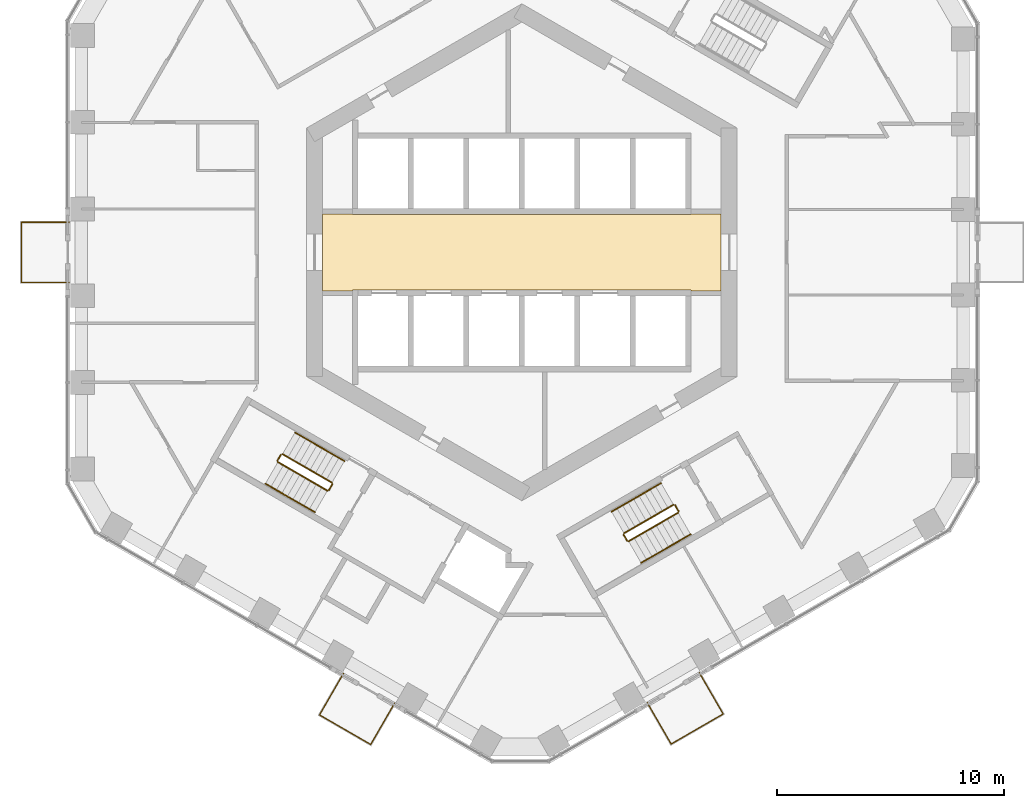
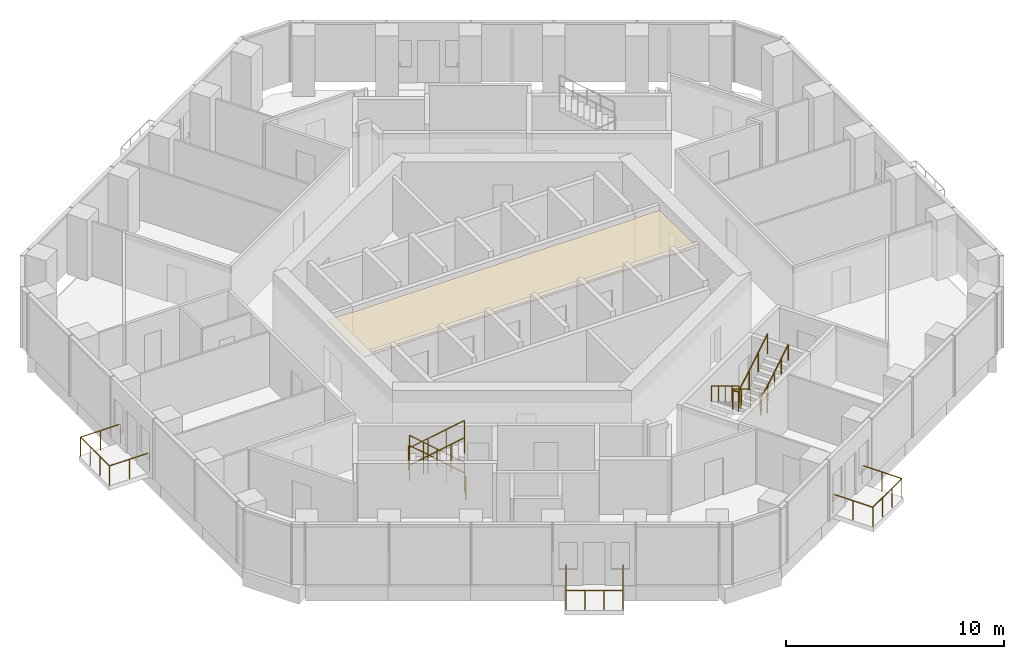
# One storey, part 18 of 20: 19 railings, 1 covering.
"""IFC4 building model written with IfcOpenShell, lengths in metres."""

from ifc_helpers import new_model, si_unit, direction, frame, origin, origin_2d, place, context, subcontext, project, spatial, polyline, circle, outline, extrude, material, layer, layer_set, type_object, element, save


model = new_model("IFC4")

# Units and contexts
model_context = context("Model", 3, precision=1e-05, world=origin(), true_north=direction((0.0, 1.0)))
body_context = subcontext(model_context, "Body", "Model", "MODEL_VIEW")
ifc_project = project(units=[si_unit("LENGTHUNIT", "METRE"), si_unit("AREAUNIT", "SQUARE_METRE"), si_unit("VOLUMEUNIT", "CUBIC_METRE"), si_unit("PLANEANGLEUNIT", "RADIAN"), si_unit("MASSUNIT", "GRAM", prefix="KILO")], contexts=[model_context])

# Site, building, storey
site_placement = place(None, origin())
site = spatial("IfcSite", under=ifc_project, at=site_placement, CompositionType="ELEMENT")
building_placement = place(site_placement, origin())
building = spatial("IfcBuilding", under=site, at=building_placement, Name="Ayvan Gate Tower", CompositionType="ELEMENT")
storey_placement = place(building_placement, frame((0.0, 0.0, 86.5)))
storey = spatial("IfcBuildingStorey", under=building, at=storey_placement, Name="L22", CompositionType="ELEMENT", Elevation=86.5)

# Railings
ifc_material_1 = material(Name="Stainless steel 316 and laminated glass", Category="steel")
railing_type_1 = type_object("IfcRailingType", Name="Balcony balustrade 1100", PredefinedType="BALUSTRADE", material=ifc_material_1)
railing_1_placement = place(storey_placement, frame((-19.976318359375, 1.325439453125, 0.0)))
element("IfcRailing", 1, at=railing_1_placement, inside=storey, type_object=railing_type_1, Name="Balcony balustrade BAL-L22-3", PredefinedType="BALUSTRADE", context=body_context, shape_type="SweptSolid", body=[
    extrude(circle(Radius=0.02490234375, at=origin_2d()), frame((0.0, 0.0, 1.0751953125), z_axis=(-1.0, 0.0, 0.0), x_axis=(0.0, -1.0, 0.0)), (0.0, 0.0, 1.0), 2.114990234375),
    extrude(circle(Radius=0.02490234375, at=origin_2d()), frame((-2.114990234375, 0.0, 1.0751953125), z_axis=(0.0, -1.0, 0.0), x_axis=(1.0, 0.0, 0.0)), (0.0, 0.0, 1.0), 2.65087890625),
    extrude(circle(Radius=0.02490234375, at=origin_2d()), frame((-2.114990234375, -2.65087890625, 1.0751953125), z_axis=(1.0, 0.0, 0.0), x_axis=(0.0, 1.0, 0.0)), (0.0, 0.0, 1.0), 2.114990234375),
    extrude(circle(Radius=0.02001953125, at=origin_2d()), origin(), (0.0, 0.0, 1.0), 1.050048828125),
    extrude(circle(Radius=0.02001953125, at=origin_2d()), frame((-1.0576171875, 0.0, 0.0)), (0.0, 0.0, 1.0), 1.050048828125),
    extrude(circle(Radius=0.02001953125, at=origin_2d()), frame((-2.114990234375, 0.0, 0.0)), (0.0, 0.0, 1.0), 1.050048828125),
    extrude(circle(Radius=0.02001953125, at=origin_2d()), frame((-2.114990234375, -0.883544921875, 0.0)), (0.0, 0.0, 1.0), 1.050048828125),
    extrude(circle(Radius=0.02001953125, at=origin_2d()), frame((-2.114990234375, -1.767333984375, 0.0)), (0.0, 0.0, 1.0), 1.050048828125),
    extrude(circle(Radius=0.02001953125, at=origin_2d()), frame((-2.114990234375, -2.65087890625, 0.0)), (0.0, 0.0, 1.0), 1.050048828125),
    extrude(circle(Radius=0.02001953125, at=origin_2d()), frame((-1.0576171875, -2.65087890625, 0.0)), (0.0, 0.0, 1.0), 1.050048828125),
    extrude(circle(Radius=0.02001953125, at=origin_2d()), frame((0.0, -2.65087890625, 0.0)), (0.0, 0.0, 1.0), 1.050048828125),
])
railing_2_placement = place(storey_placement, frame((-7.87451171875, -18.588623046875, 0.0)))
element("IfcRailing", 2, at=railing_2_placement, inside=storey, type_object=railing_type_1, Name="Balcony balustrade BAL-L22-4", PredefinedType="BALUSTRADE", context=body_context, shape_type="SweptSolid", body=[
    extrude(circle(Radius=0.02490234375, at=origin_2d()), frame((0.0, 0.0, 1.0751953125), z_axis=(-0.499925626596, -0.866068339032, 0.0), x_axis=(0.866068339032, -0.499925626596, 0.0)), (0.0, 0.0, 1.0), 2.114990234375),
    extrude(circle(Radius=0.02490234375, at=origin_2d()), frame((-1.057373046875, -1.831787109375, 1.0751953125), z_axis=(0.866006422342, -0.500032875382, 0.0), x_axis=(0.500032875382, 0.866006422342, 0.0)), (0.0, 0.0, 1.0), 2.609619140625),
    extrude(circle(Radius=0.02490234375, at=origin_2d()), frame((1.20263671875, -3.13671875, 1.0751953125), z_axis=(0.500012199891, 0.86601836006, 0.0), x_axis=(-0.86601836006, 0.500012199891, 0.0)), (0.0, 0.0, 1.0), 2.115234375),
    extrude(circle(Radius=0.02001953125, at=origin_2d()), origin(), (0.0, 0.0, 1.0), 1.050048828125),
    extrude(circle(Radius=0.02001953125, at=origin_2d()), frame((-0.52880859375, -0.916015625, 0.0)), (0.0, 0.0, 1.0), 1.050048828125),
    extrude(circle(Radius=0.02001953125, at=origin_2d()), frame((-1.057373046875, -1.831787109375, 0.0)), (0.0, 0.0, 1.0), 1.050048828125),
    extrude(circle(Radius=0.02001953125, at=origin_2d()), frame((-0.303955078125, -2.266845703125, 0.0)), (0.0, 0.0, 1.0), 1.050048828125),
    extrude(circle(Radius=0.02001953125, at=origin_2d()), frame((0.44921875, -2.70166015625, 0.0)), (0.0, 0.0, 1.0), 1.050048828125),
    extrude(circle(Radius=0.02001953125, at=origin_2d()), frame((1.20263671875, -3.13671875, 0.0)), (0.0, 0.0, 1.0), 1.050048828125),
    extrude(circle(Radius=0.02001953125, at=origin_2d()), frame((1.7314453125, -2.220703125, 0.0)), (0.0, 0.0, 1.0), 1.050048828125),
    extrude(circle(Radius=0.02001953125, at=origin_2d()), frame((2.26025390625, -1.304931640625, 0.0)), (0.0, 0.0, 1.0), 1.050048828125),
])
railing_3_placement = place(storey_placement, frame((5.53125, -19.873046875, 0.0)))
element("IfcRailing", 3, at=railing_3_placement, inside=storey, type_object=railing_type_1, Name="Balcony balustrade BAL-L22-5", PredefinedType="BALUSTRADE", context=body_context, shape_type="SweptSolid", body=[
    extrude(circle(Radius=0.02490234375, at=origin_2d()), frame((0.0, 0.0, 1.0751953125), z_axis=(0.500012199891, -0.86601836006, 0.0), x_axis=(0.86601836006, 0.500012199891, 0.0)), (0.0, 0.0, 1.0), 2.115234375),
    extrude(circle(Radius=0.02490234375, at=origin_2d()), frame((1.0576171875, -1.831787109375, 1.0751953125), z_axis=(0.865978525769, 0.500081186316, 0.0), x_axis=(-0.500081186316, 0.865978525769, 0.0)), (0.0, 0.0, 1.0), 2.65087890625),
    extrude(circle(Radius=0.02490234375, at=origin_2d()), frame((3.353271484375, -0.506103515625, 1.0751953125), z_axis=(-0.499975608288, 0.866039485888, 0.0), x_axis=(-0.866039485888, -0.499975608288, 0.0)), (0.0, 0.0, 1.0), 2.11474609375),
    extrude(circle(Radius=0.02001953125, at=origin_2d()), origin(), (0.0, 0.0, 1.0), 1.050048828125),
    extrude(circle(Radius=0.02001953125, at=origin_2d()), frame((0.52880859375, -0.916015625, 0.0)), (0.0, 0.0, 1.0), 1.050048828125),
    extrude(circle(Radius=0.02001953125, at=origin_2d()), frame((1.0576171875, -1.831787109375, 0.0)), (0.0, 0.0, 1.0), 1.050048828125),
    extrude(circle(Radius=0.02001953125, at=origin_2d()), frame((1.82275390625, -1.389892578125, 0.0)), (0.0, 0.0, 1.0), 1.050048828125),
    extrude(circle(Radius=0.02001953125, at=origin_2d()), frame((2.588134765625, -0.947998046875, 0.0)), (0.0, 0.0, 1.0), 1.050048828125),
    extrude(circle(Radius=0.02001953125, at=origin_2d()), frame((3.353271484375, -0.506103515625, 0.0)), (0.0, 0.0, 1.0), 1.050048828125),
    extrude(circle(Radius=0.02001953125, at=origin_2d()), frame((2.82470703125, 0.40966796875, 0.0)), (0.0, 0.0, 1.0), 1.050048828125),
    extrude(circle(Radius=0.02001953125, at=origin_2d()), frame((2.2958984375, 1.325439453125, 0.0)), (0.0, 0.0, 1.0), 1.050048828125),
])

# Covering
ifc_material_2 = material(Name="Plasterboard suspended ceiling")
ifc_layer = layer(ifc_material_2, 0.050048828125)
ifc_layer_set = layer_set([ifc_layer], Name="Plasterboard suspended ceiling")
covering_type = type_object("IfcCoveringType", Name="CT-SUSP-50", PredefinedType="CEILING", material=ifc_layer_set)
covering_placement = place(storey_placement, frame((0.0, 0.0, 2.699951171875)))
element("IfcCovering", 4, at=covering_placement, inside=storey, type_object=covering_type, Name="Ceiling Lift Lobby L22", PredefinedType="CEILING", context=body_context, shape_type="SweptSolid", body=[
    extrude(outline(polyline([(7.47509765625, -1.675048828125), (-7.47509765625, -1.675048828125), (-7.47509765625, -1.699951171875), (-8.800048828125, -1.699951171875), (-8.800048828125, 1.699951171875), (-7.47509765625, 1.699951171875), (-7.47509765625, 1.675048828125), (7.47509765625, 1.675048828125), (7.47509765625, 1.699951171875), (8.800048828125, 1.699951171875), (8.800048828125, -1.699951171875), (7.47509765625, -1.699951171875), (7.47509765625, -1.675048828125)])), origin(), (0.0, 0.0, 1.0), 0.050048828125),
])

# Railings
ifc_material_3 = material(Name="Stainless steel balustrade", Category="steel")
railing_type_2 = type_object("IfcRailingType", Name="RL-GUARD-1100", PredefinedType="GUARDRAIL", material=ifc_material_3)
railing_4_placement = place(storey_placement, frame((-8.381103515625, -10.16650390625, 0.169921875)))
element("IfcRailing", 5, at=railing_4_placement, inside=storey, type_object=railing_type_2, Name="L22 STS2 stair guard 1", PredefinedType="GUARDRAIL", context=body_context, shape_type="SweptSolid", body=[
    extrude(circle(Radius=0.02392578125, at=origin_2d()), frame((0.0, 0.0, 1.076171875), z_axis=(-0.740261155115, 0.427395438142, 0.518986090067), x_axis=(-0.500004791531, -0.866022637375, 0.0)), (0.0, 0.0, 1.0), 2.947998046875),
    extrude(circle(Radius=0.02099609375, at=origin_2d()), origin(), (0.0, 0.0, 1.0), 1.052001953125),
    extrude(circle(Radius=0.02099609375, at=origin_2d()), frame((-0.7275390625, 0.419921875, 0.510009765625)), (0.0, 0.0, 1.0), 1.052001953125),
    extrude(circle(Radius=0.02099609375, at=origin_2d()), frame((-1.454833984375, 0.840087890625, 1.02001953125)), (0.0, 0.0, 1.0), 1.052001953125),
    extrude(circle(Radius=0.02099609375, at=origin_2d()), frame((-2.182373046875, 1.260009765625, 1.530029296875)), (0.0, 0.0, 1.0), 1.052001953125),
])
railing_5_placement = place(storey_placement, frame((-10.6318359375, -8.9248046875, 1.699951171875)))
element("IfcRailing", 6, at=railing_5_placement, inside=storey, type_object=railing_type_2, Name="L22 STS2 stair guard 2", PredefinedType="GUARDRAIL", context=body_context, shape_type="SweptSolid", body=[
    extrude(circle(Radius=0.02392578125, at=origin_2d()), frame((0.0, 0.0, 1.076171875), z_axis=(-0.499949632511, -0.866054481515, 0.0), x_axis=(0.866054481515, -0.499949632511, 0.0)), (0.0, 0.0, 1.0), 0.31005859375),
    extrude(circle(Radius=0.02099609375, at=origin_2d()), origin(), (0.0, 0.0, 1.0), 1.052001953125),
    extrude(circle(Radius=0.02099609375, at=origin_2d()), frame((-0.155029296875, -0.2685546875, 0.0)), (0.0, 0.0, 1.0), 1.052001953125),
])
railing_6_placement = place(storey_placement, frame((-10.7685546875, -9.261474609375, 1.8701171875)))
element("IfcRailing", 7, at=railing_6_placement, inside=storey, type_object=railing_type_2, Name="L22 STS2 stair guard 3", PredefinedType="GUARDRAIL", context=body_context, shape_type="SweptSolid", body=[
    extrude(circle(Radius=0.02392578125, at=origin_2d()), frame((0.0, 0.0, 1.076171875), z_axis=(0.740292969978, -0.427413806696, 0.51892557891), x_axis=(0.500004791531, 0.866022637375, 0.0)), (0.0, 0.0, 1.0), 2.947998046875),
    extrude(circle(Radius=0.02099609375, at=origin_2d()), origin(), (0.0, 0.0, 1.0), 1.052001953125),
    extrude(circle(Radius=0.02099609375, at=origin_2d()), frame((0.7275390625, -0.419921875, 0.510009765625)), (0.0, 0.0, 1.0), 1.052001953125),
    extrude(circle(Radius=0.02099609375, at=origin_2d()), frame((1.454833984375, -0.840087890625, 1.019775390625)), (0.0, 0.0, 1.0), 1.052001953125),
    extrude(circle(Radius=0.02099609375, at=origin_2d()), frame((2.182373046875, -1.260009765625, 1.52978515625)), (0.0, 0.0, 1.0), 1.052001953125),
])
railing_7_placement = place(storey_placement, frame((-8.36279296875, -10.23486328125, 0.0)))
element("IfcRailing", 8, at=railing_7_placement, inside=storey, type_object=railing_type_2, Name="L22 STS2 stair guard 4", PredefinedType="GUARDRAIL", context=body_context, shape_type="SweptSolid", body=[
    extrude(circle(Radius=0.02392578125, at=origin_2d()), frame((0.0, 0.0, 1.076171875), z_axis=(-0.500290723946, -0.86585748916, 0.0), x_axis=(0.86585748916, -0.500290723946, 0.0)), (0.0, 0.0, 1.0), 0.309814453125),
    extrude(circle(Radius=0.02099609375, at=origin_2d()), origin(), (0.0, 0.0, 1.0), 1.052001953125),
    extrude(circle(Radius=0.02099609375, at=origin_2d()), frame((-0.155029296875, -0.268310546875, 0.0)), (0.0, 0.0, 1.0), 1.052001953125),
])
railing_8_placement = place(storey_placement, frame((6.6923828125, -11.1416015625, 0.169921875)))
element("IfcRailing", 9, at=railing_8_placement, inside=storey, type_object=railing_type_2, Name="L22 STS3 stair guard 1", PredefinedType="GUARDRAIL", context=body_context, shape_type="SweptSolid", body=[
    extrude(circle(Radius=0.02392578125, at=origin_2d()), frame((0.0, 0.0, 1.076171875), z_axis=(-0.740261155115, -0.427395438142, 0.518986090067), x_axis=(0.500004791531, -0.866022637375, 0.0)), (0.0, 0.0, 1.0), 2.947998046875),
    extrude(circle(Radius=0.02099609375, at=origin_2d()), origin(), (0.0, 0.0, 1.0), 1.052001953125),
    extrude(circle(Radius=0.02099609375, at=origin_2d()), frame((-0.7275390625, -0.419921875, 0.510009765625)), (0.0, 0.0, 1.0), 1.052001953125),
    extrude(circle(Radius=0.02099609375, at=origin_2d()), frame((-1.454833984375, -0.840087890625, 1.02001953125)), (0.0, 0.0, 1.0), 1.052001953125),
    extrude(circle(Radius=0.02099609375, at=origin_2d()), frame((-2.182373046875, -1.260009765625, 1.530029296875)), (0.0, 0.0, 1.0), 1.052001953125),
])
railing_9_placement = place(storey_placement, frame((4.49169921875, -12.4697265625, 1.699951171875)))
element("IfcRailing", 10, at=railing_9_placement, inside=storey, type_object=railing_type_2, Name="L22 STS3 stair guard 2", PredefinedType="GUARDRAIL", context=body_context, shape_type="SweptSolid", body=[
    extrude(circle(Radius=0.02392578125, at=origin_2d()), frame((0.0, 0.0, 1.076171875), z_axis=(0.499949632511, -0.866054481515, 0.0), x_axis=(0.866054481515, 0.499949632511, 0.0)), (0.0, 0.0, 1.0), 0.31005859375),
    extrude(circle(Radius=0.02099609375, at=origin_2d()), origin(), (0.0, 0.0, 1.0), 1.052001953125),
    extrude(circle(Radius=0.02099609375, at=origin_2d()), frame((0.155029296875, -0.2685546875, 0.0)), (0.0, 0.0, 1.0), 1.052001953125),
])
railing_10_placement = place(storey_placement, frame((4.715087890625, -12.756591796875, 1.8701171875)))
element("IfcRailing", 11, at=railing_10_placement, inside=storey, type_object=railing_type_2, Name="L22 STS3 stair guard 3", PredefinedType="GUARDRAIL", context=body_context, shape_type="SweptSolid", body=[
    extrude(circle(Radius=0.02392578125, at=origin_2d()), frame((0.0, 0.0, 1.076171875), z_axis=(0.740292969978, 0.427413806696, 0.51892557891), x_axis=(-0.500004791531, 0.866022637375, 0.0)), (0.0, 0.0, 1.0), 2.947998046875),
    extrude(circle(Radius=0.02099609375, at=origin_2d()), origin(), (0.0, 0.0, 1.0), 1.052001953125),
    extrude(circle(Radius=0.02099609375, at=origin_2d()), frame((0.7275390625, 0.419921875, 0.510009765625)), (0.0, 0.0, 1.0), 1.052001953125),
    extrude(circle(Radius=0.02099609375, at=origin_2d()), frame((1.454833984375, 0.840087890625, 1.019775390625)), (0.0, 0.0, 1.0), 1.052001953125),
    extrude(circle(Radius=0.02099609375, at=origin_2d()), frame((2.182373046875, 1.260009765625, 1.52978515625)), (0.0, 0.0, 1.0), 1.052001953125),
])
railing_11_placement = place(storey_placement, frame((6.7607421875, -11.159912109375, 0.0)))
element("IfcRailing", 12, at=railing_11_placement, inside=storey, type_object=railing_type_2, Name="L22 STS3 stair guard 4", PredefinedType="GUARDRAIL", context=body_context, shape_type="SweptSolid", body=[
    extrude(circle(Radius=0.02392578125, at=origin_2d()), frame((0.0, 0.0, 1.076171875), z_axis=(0.500290723946, -0.86585748916, 0.0), x_axis=(0.86585748916, 0.500290723946, 0.0)), (0.0, 0.0, 1.0), 0.309814453125),
    extrude(circle(Radius=0.02099609375, at=origin_2d()), origin(), (0.0, 0.0, 1.0), 1.052001953125),
    extrude(circle(Radius=0.02099609375, at=origin_2d()), frame((0.155029296875, -0.268310546875, 0.0)), (0.0, 0.0, 1.0), 1.052001953125),
])
railing_type_3 = type_object("IfcRailingType", Name="RL-HANDRAIL-900", PredefinedType="HANDRAIL", material=ifc_material_3)
railing_12_placement = place(storey_placement, frame((-7.8310546875, -9.2138671875, 0.169921875)))
element("IfcRailing", 13, at=railing_12_placement, inside=storey, type_object=railing_type_3, Name="L22 STS2 stair handrail 1", PredefinedType="HANDRAIL", context=body_context, shape_type="SweptSolid", body=[
    extrude(circle(Radius=0.02392578125, at=origin_2d()), frame((0.0, 0.0, 0.8759765625), z_axis=(-0.740292964666, 0.42728318766, 0.519033143459), x_axis=(-0.499890179513, -0.866088799389, 0.0)), (0.0, 0.0, 1.0), 1.47412109375),
    extrude(circle(Radius=0.02099609375, at=origin_2d()), origin(), (0.0, 0.0, 1.0), 0.851806640625),
    extrude(circle(Radius=0.02099609375, at=origin_2d()), frame((-0.545654296875, 0.31494140625, 0.382568359375)), (0.0, 0.0, 1.0), 0.851806640625),
    extrude(circle(Radius=0.02099609375, at=origin_2d()), frame((-1.09130859375, 0.6298828125, 0.76513671875)), (0.0, 0.0, 1.0), 0.851806640625),
])
railing_13_placement = place(storey_placement, frame((-8.92236328125, -8.583984375, 0.93505859375)))
element("IfcRailing", 14, at=railing_13_placement, inside=storey, type_object=railing_type_3, Name="L22 STS2 stair handrail 2", PredefinedType="HANDRAIL", context=body_context, shape_type="SweptSolid", body=[
    extrude(circle(Radius=0.02392578125, at=origin_2d()), frame((0.0, 0.0, 0.8759765625), z_axis=(-0.740229329464, 0.427507697325, 0.518939021976), x_axis=(-0.50011940292, -0.865956455501, 0.0)), (0.0, 0.0, 1.0), 1.473876953125),
    extrude(circle(Radius=0.02099609375, at=origin_2d()), origin(), (0.0, 0.0, 1.0), 0.851806640625),
    extrude(circle(Radius=0.02099609375, at=origin_2d()), frame((-0.54541015625, 0.31494140625, 0.38232421875)), (0.0, 0.0, 1.0), 0.851806640625),
    extrude(circle(Radius=0.02099609375, at=origin_2d()), frame((-1.091064453125, 0.630126953125, 0.764892578125)), (0.0, 0.0, 1.0), 0.851806640625),
])
railing_14_placement = place(storey_placement, frame((-11.318603515625, -10.214111328125, 1.8701171875)))
element("IfcRailing", 15, at=railing_14_placement, inside=storey, type_object=railing_type_3, Name="L22 STS2 stair handrail 3", PredefinedType="HANDRAIL", context=body_context, shape_type="SweptSolid", body=[
    extrude(circle(Radius=0.02392578125, at=origin_2d()), frame((0.0, 0.0, 0.8759765625), z_axis=(0.740304193401, -0.427455284825, 0.518875399983), x_axis=(0.500035496587, 0.86600490885, 0.0)), (0.0, 0.0, 1.0), 1.47412109375),
    extrude(circle(Radius=0.02099609375, at=origin_2d()), origin(), (0.0, 0.0, 1.0), 0.851806640625),
    extrude(circle(Radius=0.02099609375, at=origin_2d()), frame((0.545654296875, -0.31494140625, 0.38232421875)), (0.0, 0.0, 1.0), 0.851806640625),
    extrude(circle(Radius=0.02099609375, at=origin_2d()), frame((1.09130859375, -0.630126953125, 0.764892578125)), (0.0, 0.0, 1.0), 0.851806640625),
])
railing_15_placement = place(storey_placement, frame((-10.227294921875, -10.84423828125, 2.635009765625)))
element("IfcRailing", 16, at=railing_15_placement, inside=storey, type_object=railing_type_3, Name="L22 STS2 stair handrail 4", PredefinedType="HANDRAIL", context=body_context, shape_type="SweptSolid", body=[
    extrude(circle(Radius=0.02392578125, at=origin_2d()), frame((0.0, 0.0, 0.8759765625), z_axis=(0.740356597536, -0.427319915356, 0.518912129772), x_axis=(0.499890179513, 0.866088799389, 0.0)), (0.0, 0.0, 1.0), 1.47412109375),
    extrude(circle(Radius=0.02099609375, at=origin_2d()), origin(), (0.0, 0.0, 1.0), 0.851806640625),
    extrude(circle(Radius=0.02099609375, at=origin_2d()), frame((0.545654296875, -0.31494140625, 0.38232421875)), (0.0, 0.0, 1.0), 0.851806640625),
    extrude(circle(Radius=0.02099609375, at=origin_2d()), frame((1.09130859375, -0.6298828125, 0.764892578125)), (0.0, 0.0, 1.0), 0.851806640625),
])
railing_16_placement = place(storey_placement, frame((6.142333984375, -10.18896484375, 0.169921875)))
element("IfcRailing", 17, at=railing_16_placement, inside=storey, type_object=railing_type_3, Name="L22 STS3 stair handrail 1", PredefinedType="HANDRAIL", context=body_context, shape_type="SweptSolid", body=[
    extrude(circle(Radius=0.02392578125, at=origin_2d()), frame((0.0, 0.0, 0.8759765625), z_axis=(-0.740218099111, -0.427335577468, 0.519096782863), x_axis=(0.499974077718, -0.866040369504, 0.0)), (0.0, 0.0, 1.0), 1.473876953125),
    extrude(circle(Radius=0.02099609375, at=origin_2d()), origin(), (0.0, 0.0, 1.0), 0.851806640625),
    extrude(circle(Radius=0.02099609375, at=origin_2d()), frame((-0.54541015625, -0.31494140625, 0.382568359375)), (0.0, 0.0, 1.0), 0.851806640625),
    extrude(circle(Radius=0.02099609375, at=origin_2d()), frame((-1.091064453125, -0.6298828125, 0.76513671875)), (0.0, 0.0, 1.0), 0.851806640625),
])
railing_17_placement = place(storey_placement, frame((5.05126953125, -10.81884765625, 0.93505859375)))
element("IfcRailing", 18, at=railing_17_placement, inside=storey, type_object=railing_type_3, Name="L22 STS3 stair handrail 2", PredefinedType="HANDRAIL", context=body_context, shape_type="SweptSolid", body=[
    extrude(circle(Radius=0.02392578125, at=origin_2d()), frame((0.0, 0.0, 0.8759765625), z_axis=(-0.740304193401, -0.427455284825, 0.518875399983), x_axis=(0.500035496587, -0.86600490885, 0.0)), (0.0, 0.0, 1.0), 1.47412109375),
    extrude(circle(Radius=0.02099609375, at=origin_2d()), origin(), (0.0, 0.0, 1.0), 0.851806640625),
    extrude(circle(Radius=0.02099609375, at=origin_2d()), frame((-0.545654296875, -0.31494140625, 0.38232421875)), (0.0, 0.0, 1.0), 0.851806640625),
    extrude(circle(Radius=0.02099609375, at=origin_2d()), frame((-1.09130859375, -0.630126953125, 0.764892578125)), (0.0, 0.0, 1.0), 0.851806640625),
])
railing_18_placement = place(storey_placement, frame((5.264892578125, -13.709228515625, 1.8701171875)))
element("IfcRailing", 19, at=railing_18_placement, inside=storey, type_object=railing_type_3, Name="L22 STS3 stair handrail 3", PredefinedType="HANDRAIL", context=body_context, shape_type="SweptSolid", body=[
    extrude(circle(Radius=0.02392578125, at=origin_2d()), frame((0.0, 0.0, 0.8759765625), z_axis=(0.740304193401, 0.427455284825, 0.518875399983), x_axis=(-0.500035496587, 0.86600490885, 0.0)), (0.0, 0.0, 1.0), 1.47412109375),
    extrude(circle(Radius=0.02099609375, at=origin_2d()), origin(), (0.0, 0.0, 1.0), 0.851806640625),
    extrude(circle(Radius=0.02099609375, at=origin_2d()), frame((0.545654296875, 0.31494140625, 0.38232421875)), (0.0, 0.0, 1.0), 0.851806640625),
    extrude(circle(Radius=0.02099609375, at=origin_2d()), frame((1.09130859375, 0.630126953125, 0.764892578125)), (0.0, 0.0, 1.0), 0.851806640625),
])
railing_19_placement = place(storey_placement, frame((6.356201171875, -13.0791015625, 2.635009765625)))
element("IfcRailing", 20, at=railing_19_placement, inside=storey, type_object=railing_type_3, Name="L22 STS3 stair handrail 4", PredefinedType="HANDRAIL", context=body_context, shape_type="SweptSolid", body=[
    extrude(circle(Radius=0.02392578125, at=origin_2d()), frame((0.0, 0.0, 0.8759765625), z_axis=(0.740281741151, 0.427372318678, 0.518975765278), x_axis=(-0.499974077718, 0.866040369504, 0.0)), (0.0, 0.0, 1.0), 1.473876953125),
    extrude(circle(Radius=0.02099609375, at=origin_2d()), origin(), (0.0, 0.0, 1.0), 0.851806640625),
    extrude(circle(Radius=0.02099609375, at=origin_2d()), frame((0.54541015625, 0.31494140625, 0.38232421875)), (0.0, 0.0, 1.0), 0.851806640625),
    extrude(circle(Radius=0.02099609375, at=origin_2d()), frame((1.091064453125, 0.6298828125, 0.764892578125)), (0.0, 0.0, 1.0), 0.851806640625),
])

save(model, "model.ifc")
